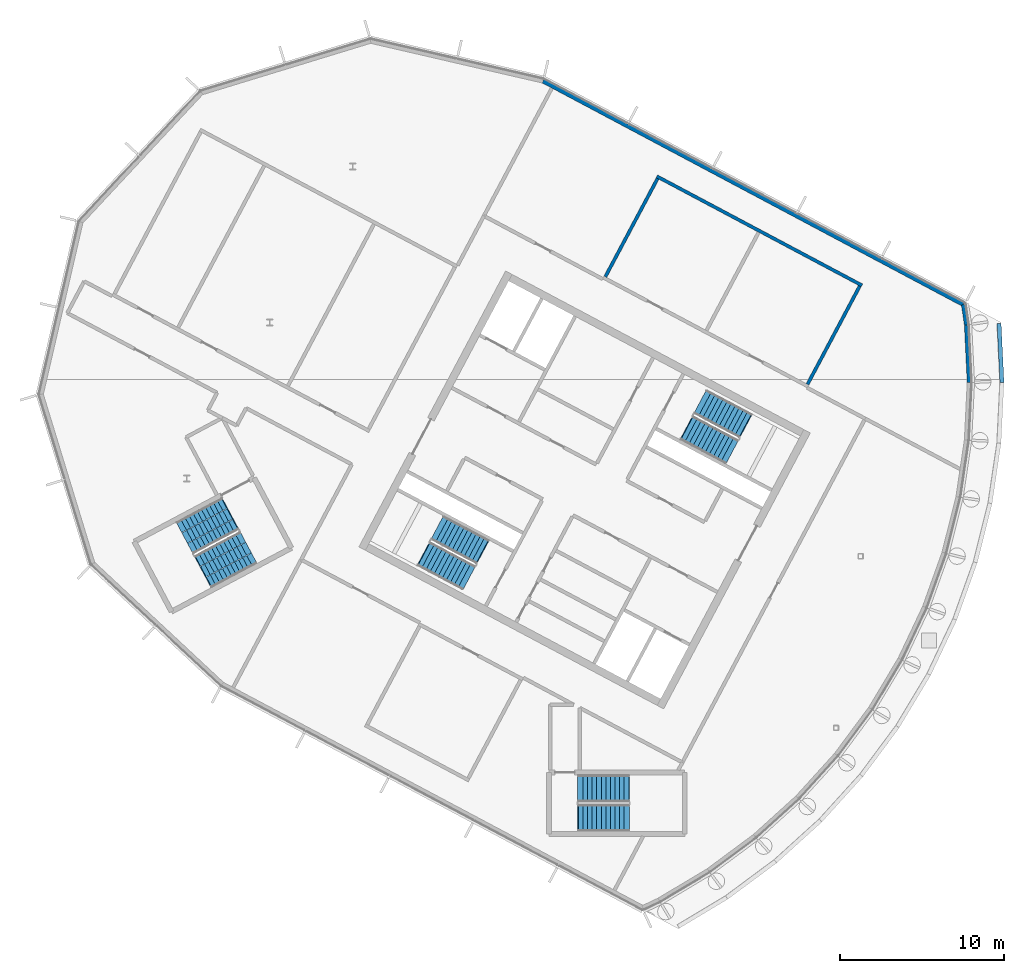
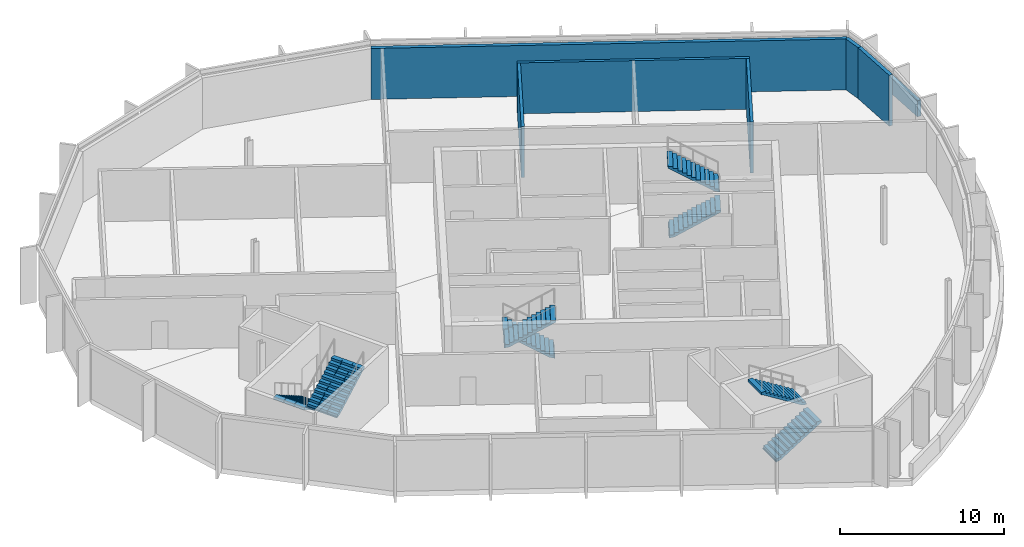
# One storey, part 8 of 12: 8 stair flights, 7 walls, 4 elements without a shape of their own.
"""IFC4 building model written with IfcOpenShell, lengths in metres."""

from ifc_helpers import new_model, si_unit, direction, frame, frame_2d, origin, place, context, subcontext, project, spatial, polyline, rectangle, outline, extrude, material, layer, layer_set, type_object, element, aggregate, save


model = new_model("IFC4")

# Units and contexts
model_context = context("Model", 3, precision=1e-05, world=origin(), true_north=direction((0.0, 1.0)))
body_context = subcontext(model_context, "Body", "Model", "MODEL_VIEW")
ifc_project = project(units=[si_unit("LENGTHUNIT", "METRE"), si_unit("AREAUNIT", "SQUARE_METRE"), si_unit("VOLUMEUNIT", "CUBIC_METRE"), si_unit("PLANEANGLEUNIT", "RADIAN"), si_unit("MASSUNIT", "GRAM", prefix="KILO")], contexts=[model_context])

# Site, building, storey
site_placement = place(None, origin())
site = spatial("IfcSite", under=ifc_project, at=site_placement, CompositionType="ELEMENT")
building_placement = place(site_placement, origin())
building = spatial("IfcBuilding", under=site, at=building_placement, Name="Cormorant Relay Tower", CompositionType="ELEMENT")
storey_placement = place(building_placement, frame((0.0, 0.0, 349.199951171875)))
storey = spatial("IfcBuildingStorey", under=building, at=storey_placement, Name="C6", CompositionType="ELEMENT", Elevation=349.199951171875)

# Walls
ifc_material_1 = material(Name="Concrete 30 MPa block wall", Category="concrete")
ifc_layer_1 = layer(ifc_material_1, 0.199951171875)
ifc_layer_set_1 = layer_set([ifc_layer_1], Name="Crown plant room wall 200")
wall_type_1 = type_object("IfcWallType", Name="Crown plant room wall 200", PredefinedType="PARTITIONING", material=ifc_layer_set_1)
wall_1_placement = place(storey_placement, frame((-10.41650390625, 27.057373046875, 0.0), z_axis=(0.0, 0.0, 1.0), x_axis=(-0.882947150019, 0.469472395646, 0.0)))
element("IfcWall", 1, at=wall_1_placement, inside=storey, type_object=wall_type_1, Name="Plant room wall", PredefinedType="PARTITIONING", context=body_context, shape_type="SweptSolid", body=[
    extrude(rectangle(XDim=14.199951171875, YDim=0.199951171875, at=frame_2d((7.10009765625, 0.0))), origin(), (0.0, 0.0, 1.0), 3.7998046875),
])
wall_2_placement = place(storey_placement, frame((-10.5517578125, 27.01611328125, 0.0), z_axis=(0.0, 0.0, 1.0), x_axis=(-0.469462324734, -0.882952504756, 0.0)))
element("IfcWall", 2, at=wall_2_placement, inside=storey, type_object=wall_type_1, Name="Plant room wall", PredefinedType="PARTITIONING", context=body_context, shape_type="SweptSolid", body=[
    extrude(rectangle(XDim=6.800048828125, YDim=0.199951171875, at=frame_2d((3.39990234375, 0.0))), origin(), (0.0, 0.0, 1.0), 3.7998046875),
])
wall_3_placement = place(storey_placement, frame((-22.9130859375, 33.588623046875, 0.0), z_axis=(0.0, 0.0, 1.0), x_axis=(-0.469477207229, -0.882944591632, 0.0)))
element("IfcWall", 3, at=wall_3_placement, inside=storey, type_object=wall_type_1, Name="Plant room wall", PredefinedType="PARTITIONING", context=body_context, shape_type="SweptSolid", body=[
    extrude(rectangle(XDim=6.7998046875, YDim=0.199951171875, at=frame_2d((3.39990234375, 0.0))), origin(), (0.0, 0.0, 1.0), 3.7998046875),
])
ifc_material_2 = material(Name="Bronze cladding on Concrete 30 MPa block wall", Category="concrete")
ifc_layer_2 = layer(ifc_material_2, 0.25)
ifc_layer_set_2 = layer_set([ifc_layer_2], Name="Crown wall 250")
wall_type_2 = type_object("IfcWallType", Name="Crown wall 250", PredefinedType="STANDARD", material=ifc_layer_set_2)
wall_4_placement = place(storey_placement, frame((-29.91796875, 39.550048828125, 0.0), z_axis=(0.0, 0.0, 1.0), x_axis=(0.882947247565, -0.469472212189, 0.0)))
element("IfcWall", 4, at=wall_4_placement, inside=storey, type_object=wall_type_2, Name="Crown wall C6", PredefinedType="STANDARD", context=body_context, shape_type="SweptSolid", body=[
    extrude(rectangle(XDim=29.11083984375, YDim=0.25, at=frame_2d((14.555419921875, 0.0))), origin(), (0.0, 0.0, 1.0), 3.7998046875),
])
wall_5_placement = place(storey_placement, frame((-4.214599609375, 25.88330078125, 0.0), z_axis=(0.0, 0.0, 1.0), x_axis=(0.146760282233, -0.98917208794, 0.0)))
element("IfcWall", 5, at=wall_5_placement, inside=storey, type_object=wall_type_2, Name="Crown wall C6", PredefinedType="STANDARD", context=body_context, shape_type="SweptSolid", body=[
    extrude(rectangle(XDim=1.25439453125, YDim=0.25, at=frame_2d((0.627197265625, 0.0))), origin(), (0.0, 0.0, 1.0), 3.7998046875),
])
wall_6_placement = place(storey_placement, frame((-4.030517578125, 24.642578125, 0.0), z_axis=(0.0, 0.0, 1.0), x_axis=(0.049027964051, -0.998797406255, 0.0)))
element("IfcWall", 6, at=wall_6_placement, inside=storey, type_object=wall_type_2, Name="Crown wall C6", PredefinedType="STANDARD", context=body_context, shape_type="SweptSolid", body=[
    extrude(rectangle(XDim=3.5205078125, YDim=0.25, at=frame_2d((1.76025390625, 0.0))), origin(), (0.0, 0.0, 1.0), 3.7998046875),
])
ifc_material_3 = material(Name="Bronze cladding on Concrete 30 MPa block wall", Category="concrete")
ifc_layer_3 = layer(ifc_material_3, 0.25)
ifc_layer_set_3 = layer_set([ifc_layer_3], Name="Parapet 250")
wall_type_3 = type_object("IfcWallType", Name="Parapet 250", PredefinedType="PARAPET", material=ifc_layer_set_3)
wall_7_placement = place(storey_placement, frame((-2.034423828125, 24.72412109375, 0.0), z_axis=(0.0, 0.0, 1.0), x_axis=(0.049001253472, -0.998798717039, 0.0)))
element("IfcWall", 7, at=wall_7_placement, inside=storey, type_object=wall_type_3, Name="Terrace parapet C5", PredefinedType="PARAPET", context=body_context, shape_type="SweptSolid", body=[
    extrude(rectangle(XDim=3.602294921875, YDim=0.25, at=frame_2d((1.80126953125, 0.0))), origin(), (0.0, 0.0, 1.0), 1.199951171875),
])

# Stair, stair flights
ifc_material_4 = material(Name="Concrete 40 MPa", Category="concrete")
stair_type_1 = type_object("IfcStairType", Name="Exit stair 1500", PredefinedType="HALF_TURN_STAIR", material=ifc_material_4)
stair_1_placement = place(storey_placement, origin())
stair_1 = element("IfcStair", 8, at=stair_1_placement, inside=storey, type_object=stair_type_1, Name="C6 Stair", PredefinedType="HALF_TURN_STAIR")
ifc_material_5 = material(Name="Concrete 40 MPa", Category="concrete")
stair_flight_type_1 = type_object("IfcStairFlightType", Name="Exit stair flight 1650", PredefinedType="STRAIGHT", material=ifc_material_5)
stair_flight_1_placement = place(storey_placement, frame((-21.114501953125, 18.33349609375, 0.0), z_axis=(0.0, 0.0, 1.0), x_axis=(0.882947592859, -0.469471562786, 0.0)))
stair_flight_1 = element("IfcStairFlight", 9, at=stair_flight_1_placement, type_object=stair_flight_type_1, Name="A1 flight 1", NumberOfRisers=12, NumberOfTreads=11, PredefinedType="STRAIGHT", RiserHeight=0.175, TreadLength=0.28, context=body_context, shape_type="SweptSolid", body=[
    extrude(outline(polyline([(-0.050048828125, -0.080078125), (-0.050048828125, 0.0), (0.0, 0.0), (0.0, 0.175048828125), (0.280029296875, 0.175048828125), (0.280029296875, 0.35009765625), (0.56005859375, 0.35009765625), (0.56005859375, 0.52490234375), (0.840087890625, 0.52490234375), (0.840087890625, 0.699951171875), (1.1201171875, 0.699951171875), (1.1201171875, 0.875), (1.39990234375, 0.875), (1.39990234375, 1.050048828125), (1.679931640625, 1.050048828125), (1.679931640625, 1.22509765625), (1.9599609375, 1.22509765625), (1.9599609375, 1.39990234375), (2.239990234375, 1.39990234375), (2.239990234375, 1.574951171875), (2.52001953125, 1.574951171875), (2.52001953125, 1.75), (2.800048828125, 1.75), (2.800048828125, 1.925048828125), (3.080078125, 1.925048828125), (3.130126953125, 1.925048828125), (3.130126953125, 1.748291015625), (3.080078125, 1.748291015625), (0.28271484375, 0.0), (-0.050048828125, -0.080078125)])), frame((0.0, 0.824951171875, 0.0), z_axis=(0.0, -1.0, 0.0), x_axis=(1.0, 0.0, 0.0)), (0.0, 0.0, 1.0), 1.64990234375),
])
stair_flight_2_placement = place(storey_placement, frame((-17.5498046875, 18.47705078125, 2.10009765625), z_axis=(0.0, 0.0, 1.0), x_axis=(-0.882947592859, 0.469471562786, 0.0)))
stair_flight_2 = element("IfcStairFlight", 10, at=stair_flight_2_placement, type_object=stair_flight_type_1, Name="A1 flight 2", NumberOfRisers=12, NumberOfTreads=11, PredefinedType="STRAIGHT", RiserHeight=0.175, TreadLength=0.28, context=body_context, shape_type="SweptSolid", body=[
    extrude(outline(polyline([(-0.050048828125, -0.080078125), (-0.050048828125, 0.0), (0.0, 0.0), (0.0, 0.175048828125), (0.280029296875, 0.175048828125), (0.280029296875, 0.35009765625), (0.56005859375, 0.35009765625), (0.56005859375, 0.52490234375), (0.840087890625, 0.52490234375), (0.840087890625, 0.699951171875), (1.1201171875, 0.699951171875), (1.1201171875, 0.875), (1.39990234375, 0.875), (1.39990234375, 1.050048828125), (1.679931640625, 1.050048828125), (1.679931640625, 1.22509765625), (1.9599609375, 1.22509765625), (1.9599609375, 1.39990234375), (2.239990234375, 1.39990234375), (2.239990234375, 1.574951171875), (2.52001953125, 1.574951171875), (2.52001953125, 1.75), (2.800048828125, 1.75), (2.800048828125, 1.925048828125), (3.080078125, 1.925048828125), (3.130126953125, 1.925048828125), (3.130126953125, 1.748291015625), (3.080078125, 1.748291015625), (0.28271484375, 0.0), (-0.050048828125, -0.080078125)])), frame((0.0, 0.824951171875, 0.0), z_axis=(0.0, -1.0, 0.0), x_axis=(1.0, 0.0, 0.0)), (0.0, 0.0, 1.0), 1.64990234375),
])
aggregate(stair_1, [stair_flight_1, stair_flight_2])

stair_2_placement = place(storey_placement, origin())
stair_2 = element("IfcStair", 11, at=stair_2_placement, inside=storey, type_object=stair_type_1, Name="C6 Stair", PredefinedType="HALF_TURN_STAIR")
stair_flight_3_placement = place(storey_placement, frame((-33.62841796875, 10.773681640625, 0.0), z_axis=(0.0, 0.0, 1.0), x_axis=(-0.882947592859, 0.469471562786, 0.0)))
stair_flight_3 = element("IfcStairFlight", 12, at=stair_flight_3_placement, type_object=stair_flight_type_1, Name="A2 flight 1", NumberOfRisers=12, NumberOfTreads=11, PredefinedType="STRAIGHT", RiserHeight=0.175, TreadLength=0.28, context=body_context, shape_type="SweptSolid", body=[
    extrude(outline(polyline([(-0.050048828125, -0.080078125), (-0.050048828125, 0.0), (0.0, 0.0), (0.0, 0.175048828125), (0.280029296875, 0.175048828125), (0.280029296875, 0.35009765625), (0.56005859375, 0.35009765625), (0.56005859375, 0.52490234375), (0.840087890625, 0.52490234375), (0.840087890625, 0.699951171875), (1.1201171875, 0.699951171875), (1.1201171875, 0.875), (1.39990234375, 0.875), (1.39990234375, 1.050048828125), (1.679931640625, 1.050048828125), (1.679931640625, 1.22509765625), (1.9599609375, 1.22509765625), (1.9599609375, 1.39990234375), (2.239990234375, 1.39990234375), (2.239990234375, 1.574951171875), (2.52001953125, 1.574951171875), (2.52001953125, 1.75), (2.800048828125, 1.75), (2.800048828125, 1.925048828125), (3.080078125, 1.925048828125), (3.130126953125, 1.925048828125), (3.130126953125, 1.748291015625), (3.080078125, 1.748291015625), (0.28271484375, 0.0), (-0.050048828125, -0.080078125)])), frame((0.0, 0.824951171875, 0.0), z_axis=(0.0, -1.0, 0.0), x_axis=(1.0, 0.0, 0.0)), (0.0, 0.0, 1.0), 1.64990234375),
])
stair_flight_4_placement = place(storey_placement, frame((-37.19287109375, 10.63037109375, 2.10009765625), z_axis=(0.0, 0.0, 1.0), x_axis=(0.882947592859, -0.469471562786, 0.0)))
stair_flight_4 = element("IfcStairFlight", 13, at=stair_flight_4_placement, type_object=stair_flight_type_1, Name="A2 flight 2", NumberOfRisers=12, NumberOfTreads=11, PredefinedType="STRAIGHT", RiserHeight=0.175, TreadLength=0.28, context=body_context, shape_type="SweptSolid", body=[
    extrude(outline(polyline([(-0.050048828125, -0.080078125), (-0.050048828125, 0.0), (0.0, 0.0), (0.0, 0.175048828125), (0.280029296875, 0.175048828125), (0.280029296875, 0.35009765625), (0.56005859375, 0.35009765625), (0.56005859375, 0.52490234375), (0.840087890625, 0.52490234375), (0.840087890625, 0.699951171875), (1.1201171875, 0.699951171875), (1.1201171875, 0.875), (1.39990234375, 0.875), (1.39990234375, 1.050048828125), (1.679931640625, 1.050048828125), (1.679931640625, 1.22509765625), (1.9599609375, 1.22509765625), (1.9599609375, 1.39990234375), (2.239990234375, 1.39990234375), (2.239990234375, 1.574951171875), (2.52001953125, 1.574951171875), (2.52001953125, 1.75), (2.800048828125, 1.75), (2.800048828125, 1.925048828125), (3.080078125, 1.925048828125), (3.130126953125, 1.925048828125), (3.130126953125, 1.748291015625), (3.080078125, 1.748291015625), (0.28271484375, 0.0), (-0.050048828125, -0.080078125)])), frame((0.0, 0.824951171875, 0.0), z_axis=(0.0, -1.0, 0.0), x_axis=(1.0, 0.0, 0.0)), (0.0, 0.0, 1.0), 1.64990234375),
])
aggregate(stair_2, [stair_flight_3, stair_flight_4])

stair_3_placement = place(storey_placement, origin())
stair_3 = element("IfcStair", 14, at=stair_3_placement, inside=storey, type_object=stair_type_1, Name="C6 Stair", PredefinedType="HALF_TURN_STAIR")
stair_flight_5_placement = place(storey_placement, frame((-27.75, -5.5, 0.0), z_axis=(0.0, 0.0, 1.0), x_axis=(1.0, 0.0, 0.0)))
stair_flight_5 = element("IfcStairFlight", 15, at=stair_flight_5_placement, type_object=stair_flight_type_1, Name="RC1 flight 1", NumberOfRisers=12, NumberOfTreads=11, PredefinedType="STRAIGHT", RiserHeight=0.175, TreadLength=0.28, context=body_context, shape_type="SweptSolid", body=[
    extrude(outline(polyline([(-0.050048828125, -0.080078125), (-0.050048828125, 0.0), (0.0, 0.0), (0.0, 0.175048828125), (0.280029296875, 0.175048828125), (0.280029296875, 0.35009765625), (0.56005859375, 0.35009765625), (0.56005859375, 0.52490234375), (0.840087890625, 0.52490234375), (0.840087890625, 0.699951171875), (1.1201171875, 0.699951171875), (1.1201171875, 0.875), (1.39990234375, 0.875), (1.39990234375, 1.050048828125), (1.679931640625, 1.050048828125), (1.679931640625, 1.22509765625), (1.9599609375, 1.22509765625), (1.9599609375, 1.39990234375), (2.239990234375, 1.39990234375), (2.239990234375, 1.574951171875), (2.52001953125, 1.574951171875), (2.52001953125, 1.75), (2.800048828125, 1.75), (2.800048828125, 1.925048828125), (3.080078125, 1.925048828125), (3.130126953125, 1.925048828125), (3.130126953125, 1.748291015625), (3.080078125, 1.748291015625), (0.28271484375, 0.0), (-0.050048828125, -0.080078125)])), frame((0.0, 0.824951171875, 0.0), z_axis=(0.0, -1.0, 0.0), x_axis=(1.0, 0.0, 0.0)), (0.0, 0.0, 1.0), 1.64990234375),
])
stair_flight_6_placement = place(storey_placement, frame((-24.669921875, -3.699951171875, 2.10009765625), z_axis=(0.0, 0.0, 1.0), x_axis=(-1.0, 0.0, 0.0)))
stair_flight_6 = element("IfcStairFlight", 16, at=stair_flight_6_placement, type_object=stair_flight_type_1, Name="RC1 flight 2", NumberOfRisers=12, NumberOfTreads=11, PredefinedType="STRAIGHT", RiserHeight=0.175, TreadLength=0.28, context=body_context, shape_type="SweptSolid", body=[
    extrude(outline(polyline([(-0.050048828125, -0.080078125), (-0.050048828125, 0.0), (0.0, 0.0), (0.0, 0.175048828125), (0.280029296875, 0.175048828125), (0.280029296875, 0.35009765625), (0.56005859375, 0.35009765625), (0.56005859375, 0.52490234375), (0.840087890625, 0.52490234375), (0.840087890625, 0.699951171875), (1.1201171875, 0.699951171875), (1.1201171875, 0.875), (1.39990234375, 0.875), (1.39990234375, 1.050048828125), (1.679931640625, 1.050048828125), (1.679931640625, 1.22509765625), (1.9599609375, 1.22509765625), (1.9599609375, 1.39990234375), (2.239990234375, 1.39990234375), (2.239990234375, 1.574951171875), (2.52001953125, 1.574951171875), (2.52001953125, 1.75), (2.800048828125, 1.75), (2.800048828125, 1.925048828125), (3.080078125, 1.925048828125), (3.130126953125, 1.925048828125), (3.130126953125, 1.748291015625), (3.080078125, 1.748291015625), (0.28271484375, 0.0), (-0.050048828125, -0.080078125)])), frame((0.0, 0.824951171875, 0.0), z_axis=(0.0, -1.0, 0.0), x_axis=(1.0, 0.0, 0.0)), (0.0, 0.0, 1.0), 1.64990234375),
])
aggregate(stair_3, [stair_flight_5, stair_flight_6])

ifc_material_6 = material(Name="Concrete 40 MPa", Category="concrete")
stair_type_2 = type_object("IfcStairType", Name="Remote exit stair 2200", PredefinedType="HALF_TURN_STAIR", material=ifc_material_6)
stair_4_placement = place(storey_placement, origin())
stair_4 = element("IfcStair", 17, at=stair_4_placement, inside=storey, type_object=stair_type_2, Name="C6 Stair", PredefinedType="HALF_TURN_STAIR")
ifc_material_7 = material(Name="Concrete 40 MPa", Category="concrete")
stair_flight_type_2 = type_object("IfcStairFlightType", Name="Remote exit stair flight 2200", PredefinedType="STRAIGHT", material=ifc_material_7)
stair_flight_7_placement = place(storey_placement, frame((-49.062255859375, 13.08251953125, 0.0), z_axis=(0.0, 0.0, 1.0), x_axis=(-0.882947502727, -0.4694717323, 0.0)))
stair_flight_7 = element("IfcStairFlight", 18, at=stair_flight_7_placement, type_object=stair_flight_type_2, Name="RP1 flight 1", NumberOfRisers=12, NumberOfTreads=11, PredefinedType="STRAIGHT", RiserHeight=0.175, TreadLength=0.28, context=body_context, shape_type="SweptSolid", body=[
    extrude(outline(polyline([(-0.050048828125, -0.080078125), (-0.050048828125, 0.0), (0.0, 0.0), (0.0, 0.175048828125), (0.280029296875, 0.175048828125), (0.280029296875, 0.35009765625), (0.56005859375, 0.35009765625), (0.56005859375, 0.52490234375), (0.840087890625, 0.52490234375), (0.840087890625, 0.699951171875), (1.1201171875, 0.699951171875), (1.1201171875, 0.875), (1.39990234375, 0.875), (1.39990234375, 1.050048828125), (1.679931640625, 1.050048828125), (1.679931640625, 1.22509765625), (1.9599609375, 1.22509765625), (1.9599609375, 1.39990234375), (2.239990234375, 1.39990234375), (2.239990234375, 1.574951171875), (2.52001953125, 1.574951171875), (2.52001953125, 1.75), (2.800048828125, 1.75), (2.800048828125, 1.925048828125), (3.080078125, 1.925048828125), (3.130126953125, 1.925048828125), (3.130126953125, 1.748291015625), (3.080078125, 1.748291015625), (0.28271484375, 0.0), (-0.050048828125, -0.080078125)])), frame((0.0, 1.10009765625, 0.0), z_axis=(0.0, -1.0, 0.0), x_axis=(1.0, 0.0, 0.0)), (0.0, 0.0, 1.0), 0.719970703125),
    extrude(outline(polyline([(-0.050048828125, -0.080078125), (-0.050048828125, 0.0), (0.0, 0.0), (0.0, 0.175048828125), (0.280029296875, 0.175048828125), (0.280029296875, 0.35009765625), (0.56005859375, 0.35009765625), (0.56005859375, 0.52490234375), (0.840087890625, 0.52490234375), (0.840087890625, 0.699951171875), (1.1201171875, 0.699951171875), (1.1201171875, 0.875), (1.39990234375, 0.875), (1.39990234375, 1.050048828125), (1.679931640625, 1.050048828125), (1.679931640625, 1.22509765625), (1.9599609375, 1.22509765625), (1.9599609375, 1.39990234375), (2.239990234375, 1.39990234375), (2.239990234375, 1.574951171875), (2.52001953125, 1.574951171875), (2.52001953125, 1.75), (2.800048828125, 1.75), (2.800048828125, 1.925048828125), (3.080078125, 1.925048828125), (3.130126953125, 1.925048828125), (3.130126953125, 1.748291015625), (3.080078125, 1.748291015625), (0.28271484375, 0.0), (-0.050048828125, -0.080078125)])), frame((0.0, 0.360107421875, 0.0), z_axis=(0.0, -1.0, 0.0), x_axis=(1.0, 0.0, 0.0)), (0.0, 0.0, 1.0), 0.719970703125),
    extrude(outline(polyline([(-0.050048828125, -0.080078125), (-0.050048828125, 0.0), (0.0, 0.0), (0.0, 0.175048828125), (0.280029296875, 0.175048828125), (0.280029296875, 0.35009765625), (0.56005859375, 0.35009765625), (0.56005859375, 0.52490234375), (0.840087890625, 0.52490234375), (0.840087890625, 0.699951171875), (1.1201171875, 0.699951171875), (1.1201171875, 0.875), (1.39990234375, 0.875), (1.39990234375, 1.050048828125), (1.679931640625, 1.050048828125), (1.679931640625, 1.22509765625), (1.9599609375, 1.22509765625), (1.9599609375, 1.39990234375), (2.239990234375, 1.39990234375), (2.239990234375, 1.574951171875), (2.52001953125, 1.574951171875), (2.52001953125, 1.75), (2.800048828125, 1.75), (2.800048828125, 1.925048828125), (3.080078125, 1.925048828125), (3.130126953125, 1.925048828125), (3.130126953125, 1.748291015625), (3.080078125, 1.748291015625), (0.28271484375, 0.0), (-0.050048828125, -0.080078125)])), frame((0.0, -0.3798828125, 0.0), z_axis=(0.0, -1.0, 0.0), x_axis=(1.0, 0.0, 0.0)), (0.0, 0.0, 1.0), 0.719970703125),
])
stair_flight_8_placement = place(storey_placement, frame((-50.678466796875, 9.5615234375, 2.10009765625), z_axis=(0.0, 0.0, 1.0), x_axis=(0.882947502727, 0.4694717323, 0.0)))
stair_flight_8 = element("IfcStairFlight", 19, at=stair_flight_8_placement, type_object=stair_flight_type_2, Name="RP1 flight 2", NumberOfRisers=12, NumberOfTreads=11, PredefinedType="STRAIGHT", RiserHeight=0.175, TreadLength=0.28, context=body_context, shape_type="SweptSolid", body=[
    extrude(outline(polyline([(-0.050048828125, -0.080078125), (-0.050048828125, 0.0), (0.0, 0.0), (0.0, 0.175048828125), (0.280029296875, 0.175048828125), (0.280029296875, 0.35009765625), (0.56005859375, 0.35009765625), (0.56005859375, 0.52490234375), (0.840087890625, 0.52490234375), (0.840087890625, 0.699951171875), (1.1201171875, 0.699951171875), (1.1201171875, 0.875), (1.39990234375, 0.875), (1.39990234375, 1.050048828125), (1.679931640625, 1.050048828125), (1.679931640625, 1.22509765625), (1.9599609375, 1.22509765625), (1.9599609375, 1.39990234375), (2.239990234375, 1.39990234375), (2.239990234375, 1.574951171875), (2.52001953125, 1.574951171875), (2.52001953125, 1.75), (2.800048828125, 1.75), (2.800048828125, 1.925048828125), (3.080078125, 1.925048828125), (3.130126953125, 1.925048828125), (3.130126953125, 1.748291015625), (3.080078125, 1.748291015625), (0.28271484375, 0.0), (-0.050048828125, -0.080078125)])), frame((0.0, 1.10009765625, 0.0), z_axis=(0.0, -1.0, 0.0), x_axis=(1.0, 0.0, 0.0)), (0.0, 0.0, 1.0), 0.719970703125),
    extrude(outline(polyline([(-0.050048828125, -0.080078125), (-0.050048828125, 0.0), (0.0, 0.0), (0.0, 0.175048828125), (0.280029296875, 0.175048828125), (0.280029296875, 0.35009765625), (0.56005859375, 0.35009765625), (0.56005859375, 0.52490234375), (0.840087890625, 0.52490234375), (0.840087890625, 0.699951171875), (1.1201171875, 0.699951171875), (1.1201171875, 0.875), (1.39990234375, 0.875), (1.39990234375, 1.050048828125), (1.679931640625, 1.050048828125), (1.679931640625, 1.22509765625), (1.9599609375, 1.22509765625), (1.9599609375, 1.39990234375), (2.239990234375, 1.39990234375), (2.239990234375, 1.574951171875), (2.52001953125, 1.574951171875), (2.52001953125, 1.75), (2.800048828125, 1.75), (2.800048828125, 1.925048828125), (3.080078125, 1.925048828125), (3.130126953125, 1.925048828125), (3.130126953125, 1.748291015625), (3.080078125, 1.748291015625), (0.28271484375, 0.0), (-0.050048828125, -0.080078125)])), frame((0.0, 0.360107421875, 0.0), z_axis=(0.0, -1.0, 0.0), x_axis=(1.0, 0.0, 0.0)), (0.0, 0.0, 1.0), 0.719970703125),
    extrude(outline(polyline([(-0.050048828125, -0.080078125), (-0.050048828125, 0.0), (0.0, 0.0), (0.0, 0.175048828125), (0.280029296875, 0.175048828125), (0.280029296875, 0.35009765625), (0.56005859375, 0.35009765625), (0.56005859375, 0.52490234375), (0.840087890625, 0.52490234375), (0.840087890625, 0.699951171875), (1.1201171875, 0.699951171875), (1.1201171875, 0.875), (1.39990234375, 0.875), (1.39990234375, 1.050048828125), (1.679931640625, 1.050048828125), (1.679931640625, 1.22509765625), (1.9599609375, 1.22509765625), (1.9599609375, 1.39990234375), (2.239990234375, 1.39990234375), (2.239990234375, 1.574951171875), (2.52001953125, 1.574951171875), (2.52001953125, 1.75), (2.800048828125, 1.75), (2.800048828125, 1.925048828125), (3.080078125, 1.925048828125), (3.130126953125, 1.925048828125), (3.130126953125, 1.748291015625), (3.080078125, 1.748291015625), (0.28271484375, 0.0), (-0.050048828125, -0.080078125)])), frame((0.0, -0.3798828125, 0.0), z_axis=(0.0, -1.0, 0.0), x_axis=(1.0, 0.0, 0.0)), (0.0, 0.0, 1.0), 0.719970703125),
])
aggregate(stair_4, [stair_flight_7, stair_flight_8])

save(model, "model.ifc")
